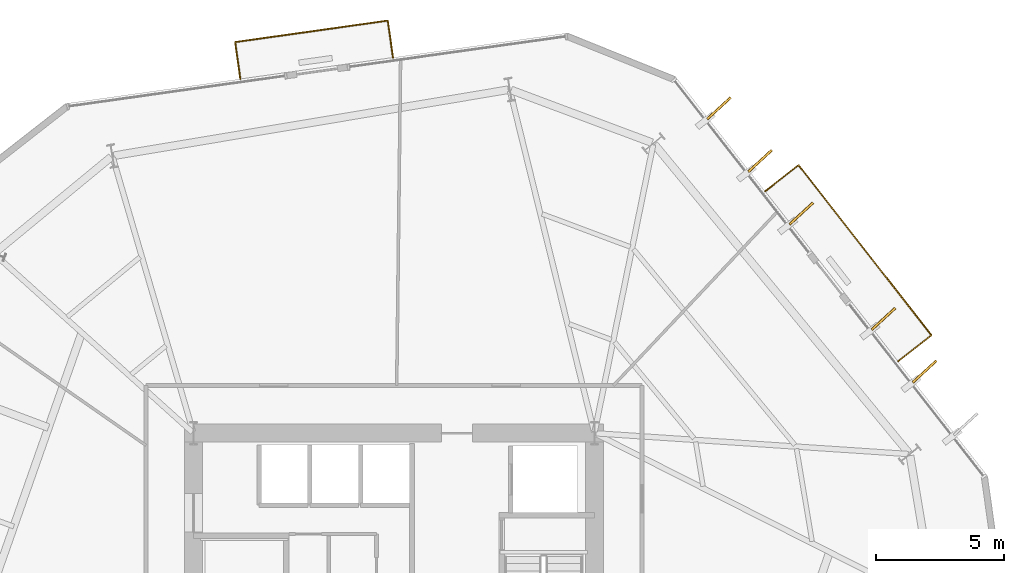
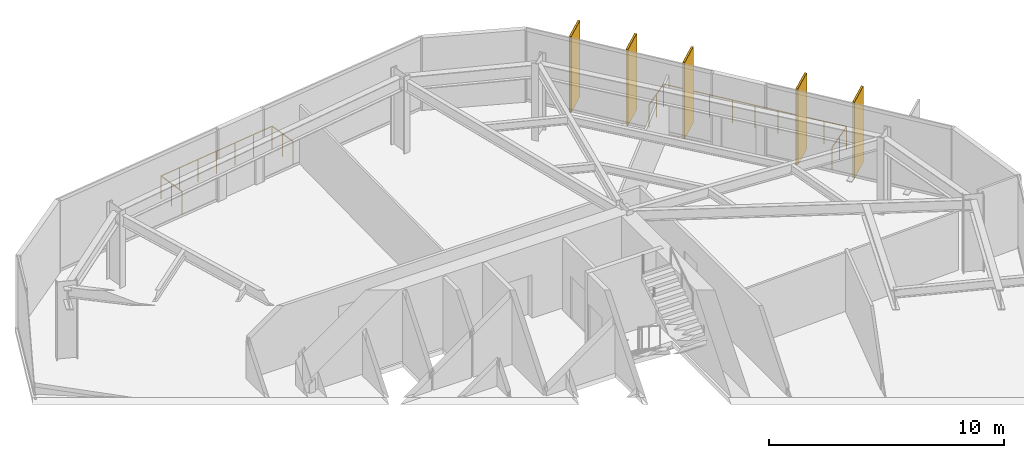
# One storey, part 10 of 10: 5 coverings, 5 shading devices, 2 railings.
"""IFC4 building model written with IfcOpenShell, lengths in metres."""

from ifc_helpers import new_model, si_unit, direction, frame, origin, origin_2d, place, context, subcontext, project, spatial, rectangle, circle, extrude, material, layer, layer_set, type_object, element, save


model = new_model("IFC4")

# Units and contexts
model_context = context("Model", 3, precision=1e-05, world=origin(), true_north=direction((0.0, 1.0)))
body_context = subcontext(model_context, "Body", "Model", "MODEL_VIEW")
ifc_project = project(units=[si_unit("LENGTHUNIT", "METRE"), si_unit("AREAUNIT", "SQUARE_METRE"), si_unit("VOLUMEUNIT", "CUBIC_METRE"), si_unit("PLANEANGLEUNIT", "RADIAN"), si_unit("MASSUNIT", "GRAM", prefix="KILO")], contexts=[model_context])

# Site, building, storey
site_placement = place(None, origin())
site = spatial("IfcSite", under=ifc_project, at=site_placement, CompositionType="ELEMENT")
building_placement = place(site_placement, origin())
building = spatial("IfcBuilding", under=site, at=building_placement, Name="Kranzbogen Civic Tower", CompositionType="ELEMENT")
storey_placement = place(building_placement, frame((0.0, 0.0, 52.0)))
storey = spatial("IfcBuildingStorey", under=building, at=storey_placement, Name="L12", CompositionType="ELEMENT", Elevation=52.0)

# Coverings
ifc_material_1 = material(Name="Pale Anodised Aluminium", Category="aluminium")
ifc_layer = layer(ifc_material_1, 0.02490234375, Name="Pale Anodised Aluminium")
ifc_layer_set = layer_set([ifc_layer], Name="Pale Anodised Aluminium")
covering_type = type_object("IfcCoveringType", Name="Anodised Aluminium Vertical Fin Cladding 25 mm", PredefinedType="CLADDING", material=ifc_layer_set)
for number, where, z_axis, x_axis, name in (
    (1, (45.653076171875, 34.60107421875, -0.139892578125), (0.0, 0.0, 1.0), (0.736061644968, 0.676914510708, 0.0), "L12 vertical fin pale-metal cladding F1-2"),
    (2, (44.052001953125, 36.64990234375, -0.139892578125), (0.0, 0.0, 1.0), (0.736061644968, 0.676914510708, 0.0), "L12 vertical fin pale-metal cladding F1-3"),
    (3, (40.85107421875, 40.7470703125, -0.139892578125), (0.0, 0.0, 1.0), (0.736061644968, 0.676914510708, 0.0), "L12 vertical fin pale-metal cladding F1-5"),
    (4, (39.25, 42.7958984375, -0.139892578125), (0.0, 0.0, 1.0), (0.736061644968, 0.676914510708, 0.0), "L12 vertical fin pale-metal cladding F1-6"),
    (5, (37.64892578125, 44.844970703125, -0.139892578125), (0.0, 0.0, 1.0), (0.736061644968, 0.676914510708, 0.0), "L12 vertical fin pale-metal cladding F1-7"),
):
    element("IfcCovering", number, at=place(storey_placement, frame(where, z_axis=z_axis, x_axis=x_axis)), inside=storey, type_object=covering_type, Name=name, PredefinedType="CLADDING", context=body_context, shape_type="SweptSolid", body=[
        extrude(rectangle(XDim=1.25, YDim=0.10009765625, at=origin_2d()), origin(), (0.0, 0.0, 1.0), 3.9599609375),
    ])

# Shading devices
ifc_material_2 = material(Name="Anodised Bronze Aluminium", Category="aluminium")
shading_device_type = type_object("IfcShadingDeviceType", Name="Anodised Bronze Vertical Facade Fin 1250x80", PredefinedType="USERDEFINED", material=ifc_material_2)
for number, where, z_axis, x_axis, name in (
    (6, (45.653076171875, 34.60107421875, -0.139892578125), (0.0, 0.0, 1.0), (0.736061644968, 0.676914510708, 0.0), "L12 vertical exterior shading fin F1-2"),
    (7, (44.052001953125, 36.64990234375, -0.139892578125), (0.0, 0.0, 1.0), (0.736061644968, 0.676914510708, 0.0), "L12 vertical exterior shading fin F1-3"),
    (8, (40.85107421875, 40.7470703125, -0.139892578125), (0.0, 0.0, 1.0), (0.736061644968, 0.676914510708, 0.0), "L12 vertical exterior shading fin F1-5"),
    (9, (39.25, 42.7958984375, -0.139892578125), (0.0, 0.0, 1.0), (0.736061644968, 0.676914510708, 0.0), "L12 vertical exterior shading fin F1-6"),
    (10, (37.64892578125, 44.844970703125, -0.139892578125), (0.0, 0.0, 1.0), (0.736061644968, 0.676914510708, 0.0), "L12 vertical exterior shading fin F1-7"),
):
    element("IfcShadingDevice", number, at=place(storey_placement, frame(where, z_axis=z_axis, x_axis=x_axis)), inside=storey, type_object=shading_device_type, Name=name, ObjectType="FIN", PredefinedType="USERDEFINED", context=body_context, shape_type="SweptSolid", body=[
        extrude(rectangle(XDim=1.25, YDim=0.080078125, at=origin_2d()), origin(), (0.0, 0.0, 1.0), 3.9599609375),
    ])

# Railings
railing_type = type_object("IfcRailingType", Name="Cantilevered Balcony Glass and Bronze Balustrade 1200", PredefinedType="BALUSTRADE", material=ifc_material_2)
railing_1_placement = place(storey_placement, frame((24.962890625, 46.820068359375, 0.0)))
element("IfcRailing", 11, at=railing_1_placement, inside=storey, type_object=railing_type, Name="L12 exterior terrace balustrade L12-TB1", PredefinedType="BALUSTRADE", context=body_context, shape_type="SweptSolid", body=[
    extrude(circle(Radius=0.02392578125, at=origin_2d()), frame((0.0, 0.0, 1.17578125), z_axis=(-0.139229036098, 0.99026020596, 0.0), x_axis=(-0.99026020596, -0.139229036098, 0.0)), (0.0, 0.0, 1.0), 1.4501953125),
    extrude(circle(Radius=0.02392578125, at=origin_2d()), frame((-0.201904296875, 1.43603515625, 1.17578125), z_axis=(-0.990265168488, -0.139193735779, 0.0), x_axis=(0.139193735779, -0.990265168488, 0.0)), (0.0, 0.0, 1.0), 6.000244140625),
    extrude(circle(Radius=0.02392578125, at=origin_2d()), frame((-6.143798828125, 0.600830078125, 1.17578125), z_axis=(0.139252251443, -0.990256941641, 0.0), x_axis=(0.990256941641, 0.139252251443, 0.0)), (0.0, 0.0, 1.0), 1.449951171875),
    extrude(circle(Radius=0.02099609375, at=origin_2d()), origin(), (0.0, 0.0, 1.0), 1.15185546875),
    extrude(circle(Radius=0.02099609375, at=origin_2d()), frame((-0.10107421875, 0.718017578125, 0.0)), (0.0, 0.0, 1.0), 1.15185546875),
    extrude(circle(Radius=0.02099609375, at=origin_2d()), frame((-0.201904296875, 1.43603515625, 0.0)), (0.0, 0.0, 1.0), 1.15185546875),
    extrude(circle(Radius=0.02099609375, at=origin_2d()), frame((-1.192138671875, 1.296875, 0.0)), (0.0, 0.0, 1.0), 1.15185546875),
    extrude(circle(Radius=0.02099609375, at=origin_2d()), frame((-2.1826171875, 1.15771484375, 0.0)), (0.0, 0.0, 1.0), 1.15185546875),
    extrude(circle(Radius=0.02099609375, at=origin_2d()), frame((-3.1728515625, 1.0185546875, 0.0)), (0.0, 0.0, 1.0), 1.15185546875),
    extrude(circle(Radius=0.02099609375, at=origin_2d()), frame((-4.1630859375, 0.879150390625, 0.0)), (0.0, 0.0, 1.0), 1.15185546875),
    extrude(circle(Radius=0.02099609375, at=origin_2d()), frame((-5.153564453125, 0.739990234375, 0.0)), (0.0, 0.0, 1.0), 1.15185546875),
    extrude(circle(Radius=0.02099609375, at=origin_2d()), frame((-6.143798828125, 0.600830078125, 0.0)), (0.0, 0.0, 1.0), 1.15185546875),
    extrude(circle(Radius=0.02099609375, at=origin_2d()), frame((-6.04296875, -0.1171875, 0.0)), (0.0, 0.0, 1.0), 1.15185546875),
    extrude(circle(Radius=0.02099609375, at=origin_2d()), frame((-5.94189453125, -0.8349609375, 0.0)), (0.0, 0.0, 1.0), 1.15185546875),
])
railing_2_placement = place(storey_placement, frame((44.616943359375, 34.99609375, 0.0)))
element("IfcRailing", 12, at=railing_2_placement, inside=storey, type_object=railing_type, Name="L12 exterior terrace balustrade L12-ST", PredefinedType="BALUSTRADE", context=body_context, shape_type="SweptSolid", body=[
    extrude(circle(Radius=0.02392578125, at=origin_2d()), frame((0.0, 0.0, 1.17578125), z_axis=(0.787963798209, 0.61572157077, 0.0), x_axis=(-0.61572157077, 0.787963798209, 0.0)), (0.0, 0.0, 1.0), 1.64990234375),
    extrude(circle(Radius=0.02392578125, at=origin_2d()), frame((1.300048828125, 1.015869140625, 1.17578125), z_axis=(-0.615637274461, 0.788029660796, 0.0), x_axis=(-0.788029660796, -0.615637274461, 0.0)), (0.0, 0.0, 1.0), 8.40087890625),
    extrude(circle(Radius=0.02392578125, at=origin_2d()), frame((-3.871826171875, 7.635986328125, 1.17578125), z_axis=(-0.787892007191, -0.615813433602, 0.0), x_axis=(0.615813433602, -0.787892007191, 0.0)), (0.0, 0.0, 1.0), 1.650146484375),
    extrude(circle(Radius=0.02099609375, at=origin_2d()), origin(), (0.0, 0.0, 1.0), 1.15185546875),
    extrude(circle(Radius=0.02099609375, at=origin_2d()), frame((0.64990234375, 0.5078125, 0.0)), (0.0, 0.0, 1.0), 1.15185546875),
    extrude(circle(Radius=0.02099609375, at=origin_2d()), frame((1.300048828125, 1.015869140625, 0.0)), (0.0, 0.0, 1.0), 1.15185546875),
    extrude(circle(Radius=0.02099609375, at=origin_2d()), frame((0.653564453125, 1.84326171875, 0.0)), (0.0, 0.0, 1.0), 1.15185546875),
    extrude(circle(Radius=0.02099609375, at=origin_2d()), frame((0.007080078125, 2.6708984375, 0.0)), (0.0, 0.0, 1.0), 1.15185546875),
    extrude(circle(Radius=0.02099609375, at=origin_2d()), frame((-0.639404296875, 3.49853515625, 0.0)), (0.0, 0.0, 1.0), 1.15185546875),
    extrude(circle(Radius=0.02099609375, at=origin_2d()), frame((-1.285888671875, 4.325927734375, 0.0)), (0.0, 0.0, 1.0), 1.15185546875),
    extrude(circle(Radius=0.02099609375, at=origin_2d()), frame((-1.932373046875, 5.1533203125, 0.0)), (0.0, 0.0, 1.0), 1.15185546875),
    extrude(circle(Radius=0.02099609375, at=origin_2d()), frame((-2.578857421875, 5.98095703125, 0.0)), (0.0, 0.0, 1.0), 1.15185546875),
    extrude(circle(Radius=0.02099609375, at=origin_2d()), frame((-3.225341796875, 6.80859375, 0.0)), (0.0, 0.0, 1.0), 1.15185546875),
    extrude(circle(Radius=0.02099609375, at=origin_2d()), frame((-3.871826171875, 7.635986328125, 0.0)), (0.0, 0.0, 1.0), 1.15185546875),
    extrude(circle(Radius=0.02099609375, at=origin_2d()), frame((-4.52197265625, 7.1279296875, 0.0)), (0.0, 0.0, 1.0), 1.15185546875),
    extrude(circle(Radius=0.02099609375, at=origin_2d()), frame((-5.171875, 6.619873046875, 0.0)), (0.0, 0.0, 1.0), 1.15185546875),
])

save(model, "model.ifc")
